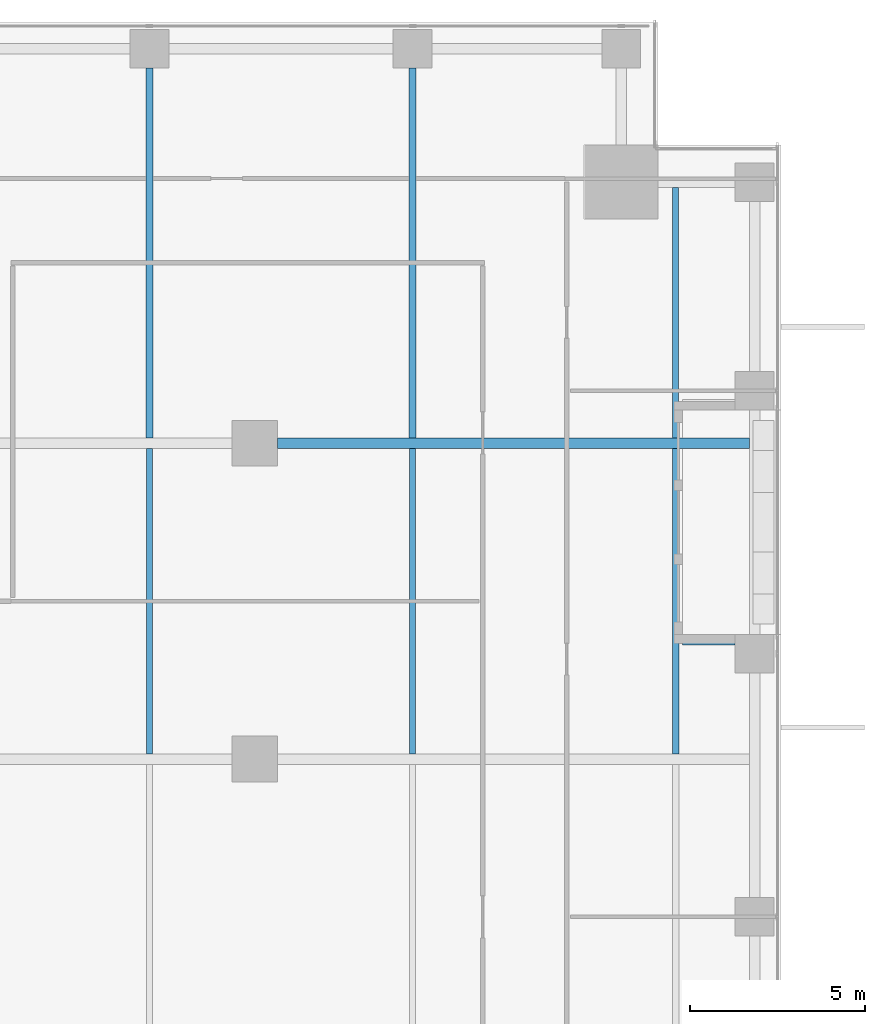
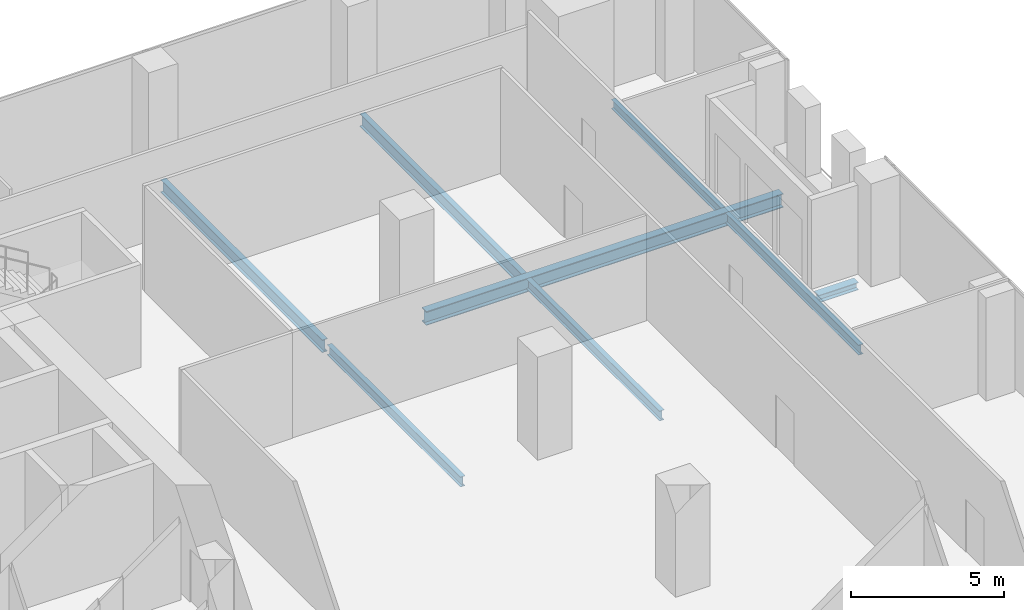
# One storey, part 19 of 35: 8 beams.
"""IFC4 building model written with IfcOpenShell, lengths in metres."""

from ifc_helpers import new_model, si_unit, direction, frame, origin, origin_2d, place, context, subcontext, project, spatial, i_section, extrude, source, transform, mapped, material, material_profile, profile_set, type_object, element, save


model = new_model("IFC4")

# Units and contexts
model_context = context("Model", 3, precision=1e-05, world=origin(), true_north=direction((0.0, 1.0)))
body_context = subcontext(model_context, "Body", "Model", "MODEL_VIEW")
ifc_project = project(units=[si_unit("LENGTHUNIT", "METRE"), si_unit("AREAUNIT", "SQUARE_METRE"), si_unit("VOLUMEUNIT", "CUBIC_METRE"), si_unit("PLANEANGLEUNIT", "RADIAN"), si_unit("MASSUNIT", "GRAM", prefix="KILO")], contexts=[model_context])

# Site, building, storey
site_placement = place(None, origin())
site = spatial("IfcSite", under=ifc_project, at=site_placement, CompositionType="ELEMENT")
building_placement = place(site_placement, origin())
building = spatial("IfcBuilding", under=site, at=building_placement, Name="Khomas Fold Tower", CompositionType="ELEMENT")
storey_placement = place(building_placement, frame((0.0, 0.0, 132.300048828125)))
storey = spatial("IfcBuildingStorey", under=building, at=storey_placement, Name="L28", CompositionType="ELEMENT", Elevation=132.300048828125)

# Beams
ifc_material_1 = material(Name="Steel S355", Category="steel")
ifc_material_profile_1 = material_profile(ifc_material_1, i_section(OverallWidth=0.179931640625, OverallDepth=0.39990234375, WebThickness=0.008544921875, FlangeThickness=0.013427734375, at=origin_2d()), Name="IPE 400")
ifc_profile_set_1 = profile_set([ifc_material_profile_1], Name="Steel S355")
beam_type_1 = type_object("IfcBeamType", Name="IPE 400 beam JB3", PredefinedType="BEAM", material=ifc_profile_set_1)
shared_shape_1 = source(origin(), body_context, "Body", "SweptSolid", [
    extrude(i_section(OverallWidth=0.179931640625, OverallDepth=0.39990234375, WebThickness=0.008544921875, FlangeThickness=0.013427734375, at=origin_2d()), origin(), (0.0, 0.0, 1.0), 8.7001953125),
])
for number, where, z_axis, x_axis, name in (
    (1, (34.5, 31.64990234375, -0.5), (0.0, 1.0, 0.0), (-1.0, 0.0, 0.0), "JB3"),
    (2, (42.0, 31.64990234375, -0.5), (0.0, 1.0, 0.0), (-1.0, 0.0, 0.0), "JB3"),
    (3, (49.5, 31.64990234375, -0.5), (0.0, 1.0, 0.0), (-1.0, 0.0, 0.0), "JB3"),
):
    element("IfcBeam", number, at=place(storey_placement, frame(where, z_axis=z_axis, x_axis=x_axis)), inside=storey, type_object=beam_type_1, Name=name, PredefinedType="BEAM", context=body_context, shape_type="MappedRepresentation", body=[
        mapped(shared_shape_1, transform((0.0, 0.0, 0.0))),
    ])
ifc_material_2 = material(Name="Steel S355", Category="steel")
ifc_material_profile_2 = material_profile(ifc_material_2, i_section(OverallWidth=0.169921875, OverallDepth=0.360107421875, WebThickness=0.008056640625, FlangeThickness=0.0126953125, at=origin_2d()), Name="IPE 360")
ifc_profile_set_2 = profile_set([ifc_material_profile_2], Name="Steel S355")
beam_type_2 = type_object("IfcBeamType", Name="IPE 360 beam JB2", PredefinedType="BEAM", material=ifc_profile_set_2)
shared_shape_2 = source(origin(), body_context, "Body", "SweptSolid", [
    extrude(i_section(OverallWidth=0.169921875, OverallDepth=0.360107421875, WebThickness=0.008056640625, FlangeThickness=0.0126953125, at=origin_2d()), origin(), (0.0, 0.0, 1.0), 7.150146484375),
])
beam_1_placement = place(storey_placement, frame((49.5, 40.64990234375, -0.47998046875), z_axis=(0.0, 1.0, 0.0), x_axis=(-1.0, 0.0, 0.0)))
element("IfcBeam", 4, at=beam_1_placement, inside=storey, type_object=beam_type_2, Name="JB2", PredefinedType="BEAM", context=body_context, shape_type="MappedRepresentation", body=[
    mapped(shared_shape_2, transform((0.0, 0.0, 0.0))),
])
ifc_material_3 = material(Name="Steel S355", Category="steel")
ifc_material_profile_3 = material_profile(ifc_material_3, i_section(OverallWidth=0.300048828125, OverallDepth=0.550048828125, WebThickness=0.014892578125, FlangeThickness=0.029052734375, at=origin_2d()), Name="HE 550 B")
ifc_profile_set_3 = profile_set([ifc_material_profile_3], Name="Steel S355")
beam_type_3 = type_object("IfcBeamType", Name="HE 550 B beam GB4", PredefinedType="BEAM", material=ifc_profile_set_3)
shared_shape_3 = source(origin(), body_context, "Body", "SweptSolid", [
    extrude(i_section(OverallWidth=0.300048828125, OverallDepth=0.550048828125, WebThickness=0.014892578125, FlangeThickness=0.029052734375, at=origin_2d()), origin(), (0.0, 0.0, 1.0), 13.4501953125),
])
beam_2_placement = place(storey_placement, frame((38.14990234375, 40.5, -0.574951171875), z_axis=(1.0, 0.0, 0.0), x_axis=(0.0, 1.0, 0.0)))
element("IfcBeam", 5, at=beam_2_placement, inside=storey, type_object=beam_type_3, Name="GB4", PredefinedType="BEAM", context=body_context, shape_type="MappedRepresentation", body=[
    mapped(shared_shape_3, transform((0.0, 0.0, 0.0))),
])
ifc_material_4 = material(Name="Steel S355", Category="steel")
ifc_material_profile_4 = material_profile(ifc_material_4, i_section(OverallWidth=0.199951171875, OverallDepth=0.5, WebThickness=0.01025390625, FlangeThickness=0.01611328125, at=origin_2d()), Name="IPE 500")
ifc_profile_set_4 = profile_set([ifc_material_profile_4], Name="Steel S355")
beam_type_4 = type_object("IfcBeamType", Name="IPE 500 beam JB5", PredefinedType="BEAM", material=ifc_profile_set_4)
shared_shape_4 = source(origin(), body_context, "Body", "SweptSolid", [
    extrude(i_section(OverallWidth=0.199951171875, OverallDepth=0.5, WebThickness=0.01025390625, FlangeThickness=0.01611328125, at=origin_2d()), origin(), (0.0, 0.0, 1.0), 10.550048828125),
])
for number, where, z_axis, x_axis, name in (
    (6, (34.5, 40.64990234375, -0.550048828125), (0.0, 1.0, 0.0), (-1.0, 0.0, 0.0), "JB5"),
    (7, (42.0, 40.64990234375, -0.550048828125), (0.0, 1.0, 0.0), (-1.0, 0.0, 0.0), "JB5"),
):
    element("IfcBeam", number, at=place(storey_placement, frame(where, z_axis=z_axis, x_axis=x_axis)), inside=storey, type_object=beam_type_4, Name=name, PredefinedType="BEAM", context=body_context, shape_type="MappedRepresentation", body=[
        mapped(shared_shape_4, transform((0.0, 0.0, 0.0))),
    ])
ifc_material_5 = material(Name="Steel S355", Category="steel")
ifc_material_profile_5 = material_profile(ifc_material_5, i_section(OverallWidth=0.300048828125, OverallDepth=0.300048828125, WebThickness=0.010986328125, FlangeThickness=0.01904296875, at=origin_2d()), Name="HE 300 B")
ifc_profile_set_5 = profile_set([ifc_material_profile_5], Name="Steel S355")
beam_type_5 = type_object("IfcBeamType", Name="HE 300 B beam BB1", PredefinedType="BEAM", material=ifc_profile_set_5)
shared_shape_5 = source(origin(), body_context, "Body", "SweptSolid", [
    extrude(i_section(OverallWidth=0.300048828125, OverallDepth=0.300048828125, WebThickness=0.010986328125, FlangeThickness=0.01904296875, at=origin_2d()), origin(), (0.0, 0.0, 1.0), 1.5),
])
beam_3_placement = place(storey_placement, frame((49.699951171875, 34.89990234375, -0.449951171875), z_axis=(1.0, 0.0, 0.0), x_axis=(0.0, 1.0, 0.0)))
element("IfcBeam", 8, at=beam_3_placement, inside=storey, type_object=beam_type_5, Name="BB1", PredefinedType="BEAM", context=body_context, shape_type="MappedRepresentation", body=[
    mapped(shared_shape_5, transform((0.0, 0.0, 0.0))),
])

save(model, "model.ifc")
